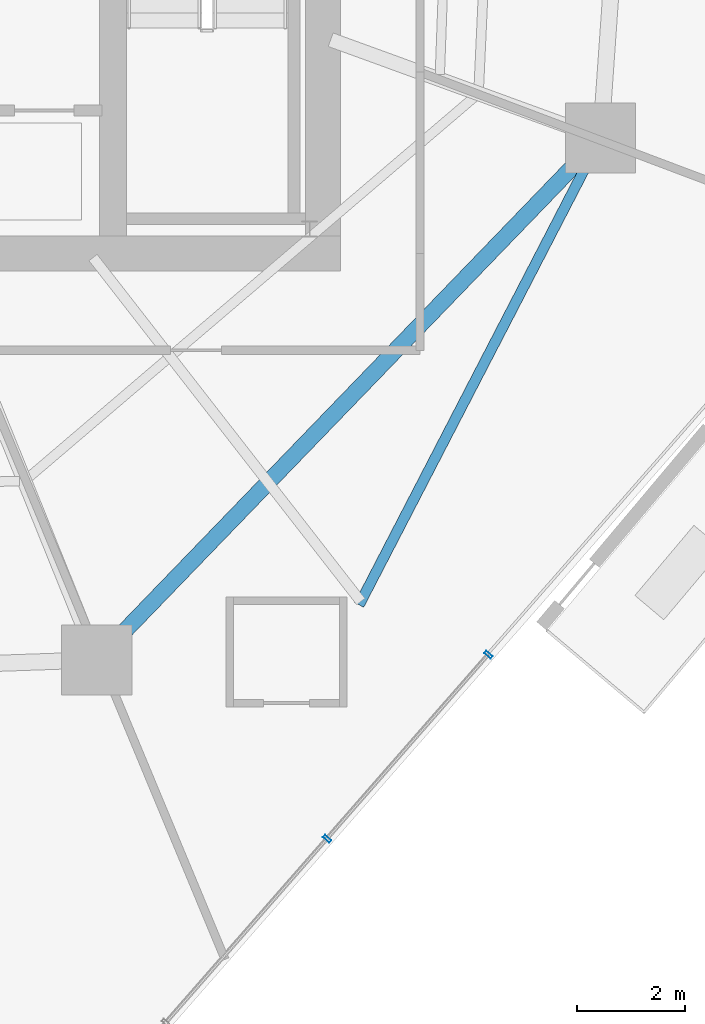
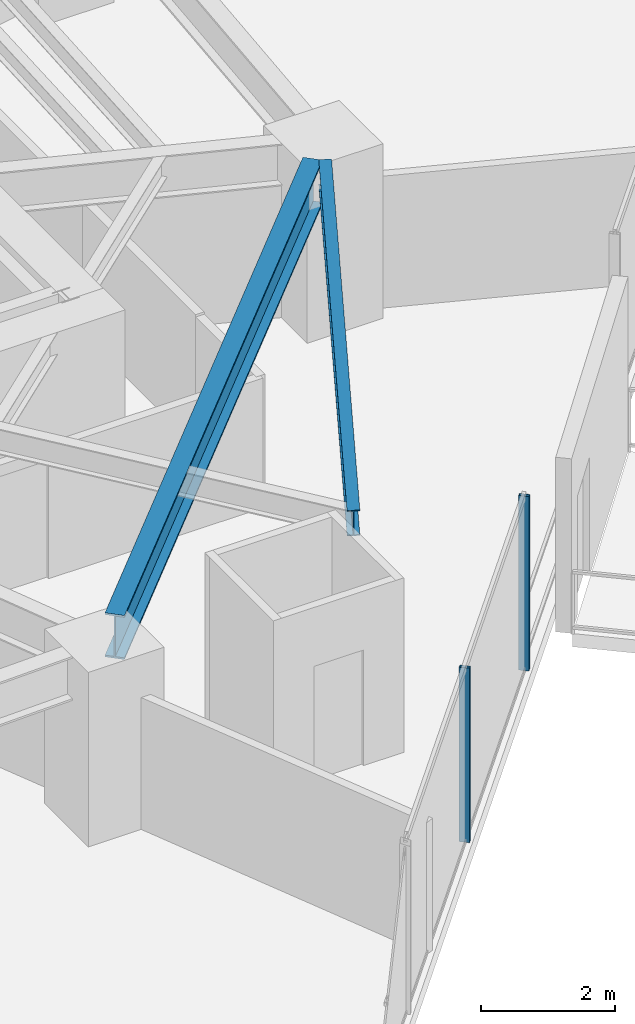
# One storey, part 11 of 33: 2 beams, 2 members, 1 element without a shape of its own.
"""IFC4 building model written with IfcOpenShell, lengths in metres."""

from ifc_helpers import new_model, si_unit, direction, frame, origin, origin_2d, place, context, subcontext, project, spatial, hollow_rectangle, i_section, extrude, material, layer, layer_set, material_profile, profile_set, type_object, element, aggregate, save


model = new_model("IFC4")

# Units and contexts
model_context = context("Model", 3, precision=1e-05, world=origin(), true_north=direction((0.0, 1.0)))
body_context = subcontext(model_context, "Body", "Model", "MODEL_VIEW")
ifc_project = project(units=[si_unit("LENGTHUNIT", "METRE"), si_unit("AREAUNIT", "SQUARE_METRE"), si_unit("VOLUMEUNIT", "CUBIC_METRE"), si_unit("PLANEANGLEUNIT", "RADIAN"), si_unit("MASSUNIT", "GRAM", prefix="KILO")], contexts=[model_context])

# Site, building, storey
site_placement = place(None, origin())
site = spatial("IfcSite", under=ifc_project, at=site_placement, CompositionType="ELEMENT")
building_placement = place(site_placement, origin())
building = spatial("IfcBuilding", under=site, at=building_placement, Name="Qarnah Convention Tower", CompositionType="ELEMENT")
storey_placement = place(building_placement, frame((0.0, 0.0, 30.449951171875)))
storey = spatial("IfcBuildingStorey", under=building, at=storey_placement, Name="L06", CompositionType="ELEMENT", Elevation=30.449951171875)

# Beams
ifc_material_1 = material(Name="Structural steel S355JR", Category="steel")
ifc_material_profile_1 = material_profile(ifc_material_1, i_section(OverallWidth=0.19189453125, OverallDepth=0.464111328125, WebThickness=0.010986328125, FlangeThickness=0.01806640625, at=origin_2d()), Name="W460X89")
ifc_profile_set_1 = profile_set([ifc_material_profile_1], Name="Structural steel S355JR")
beam_type_1 = type_object("IfcBeamType", Name="BM-CANT-W460A", PredefinedType="BEAM", material=ifc_profile_set_1)
beam_1_placement = place(storey_placement, frame((48.26904296875, 12.074951171875, 2.93798828125), z_axis=(0.459489942742, 0.888182972432, 0.0), x_axis=(-0.888182972432, 0.459489942742, 0.0)))
element("IfcBeam", 1, at=beam_1_placement, inside=storey, type_object=beam_type_1, Name="L06 spandrel BM-L06-CTIE-03", PredefinedType="SPANDREL", context=body_context, shape_type="SweptSolid", body=[
    extrude(i_section(OverallWidth=0.19189453125, OverallDepth=0.464111328125, WebThickness=0.010986328125, FlangeThickness=0.01806640625, at=origin_2d()), origin(), (0.0, 0.0, 1.0), 9.116455078125),
])
ifc_material_profile_2 = material_profile(ifc_material_1, i_section(OverallWidth=0.300048828125, OverallDepth=0.800048828125, WebThickness=0.01806640625, FlangeThickness=0.032958984375, at=origin_2d()), Name="HEB800")
ifc_profile_set_2 = profile_set([ifc_material_profile_2], Name="Structural steel S355JR")
beam_type_2 = type_object("IfcBeamType", Name="BM-RING-HEB800", PredefinedType="BEAM", material=ifc_profile_set_2)
beam_2_placement = place(storey_placement, frame((43.844970703125, 11.514892578125, 2.77001953125), z_axis=(0.694553028655, 0.719441512832, 0.0), x_axis=(-0.719441512832, 0.694553028655, 0.0)))
element("IfcBeam", 2, at=beam_2_placement, inside=storey, type_object=beam_type_2, Name="L06 beam BM-L06-SPN-08", PredefinedType="BEAM", context=body_context, shape_type="SweptSolid", body=[
    extrude(i_section(OverallWidth=0.300048828125, OverallDepth=0.800048828125, WebThickness=0.01806640625, FlangeThickness=0.032958984375, at=origin_2d()), origin(), (0.0, 0.0, 1.0), 12.183349609375),
])

# Curtain wall, members
ifc_material_2 = material(Name="Tempered Low-E dark glass", Category="glass")
ifc_layer = layer(ifc_material_2, 0.16796875)
ifc_layer_set = layer_set([ifc_layer], Name="Tempered Low-E dark glass")
curtain_wall_type = type_object("IfcCurtainWallType", Name="CWS-01", PredefinedType="NOTDEFINED", material=ifc_layer_set)
curtain_wall_placement = place(storey_placement, origin())
curtain_wall = element("IfcCurtainWall", 3, at=curtain_wall_placement, inside=storey, type_object=curtain_wall_type, Name="L06 unitised curtain wall CW-L06-F4", PredefinedType="NOTDEFINED")
ifc_material_3 = material(Name="Black anodised aluminium", Category="aluminium")
ifc_material_profile_3 = material_profile(ifc_material_3, hollow_rectangle(XDim=0.06005859375, YDim=0.159912109375, WallThickness=0.00390625, at=origin_2d()), Name="MUL-60X160")
ifc_profile_set_3 = profile_set([ifc_material_profile_3], Name="Black anodised aluminium")
member_type = type_object("IfcMemberType", Name="MUL-T1", PredefinedType="MULLION", material=ifc_profile_set_3)
member_1_placement = place(storey_placement, frame((50.66796875, 11.14892578125, 0.0), z_axis=(0.0, 0.0, 1.0), x_axis=(-0.658982702781, -0.752158093379, 0.0)))
member_1 = element("IfcMember", 4, at=member_1_placement, type_object=member_type, Name="CW-L06-F4 mullion 1", PredefinedType="MULLION", context=body_context, shape_type="SweptSolid", body=[
    extrude(hollow_rectangle(XDim=0.06005859375, YDim=0.159912109375, WallThickness=0.00390625, at=origin_2d()), origin(), (0.0, 0.0, 1.0), 3.170166015625),
])
member_2_placement = place(storey_placement, frame((47.67626953125, 7.734375, 0.0), z_axis=(0.0, 0.0, 1.0), x_axis=(-0.658982702781, -0.752158093379, 0.0)))
member_2 = element("IfcMember", 5, at=member_2_placement, type_object=member_type, Name="CW-L06-F4 mullion 2", PredefinedType="MULLION", context=body_context, shape_type="SweptSolid", body=[
    extrude(hollow_rectangle(XDim=0.06005859375, YDim=0.159912109375, WallThickness=0.00390625, at=origin_2d()), origin(), (0.0, 0.0, 1.0), 3.170166015625),
])
aggregate(curtain_wall, [member_1, member_2])

save(model, "model.ifc")
